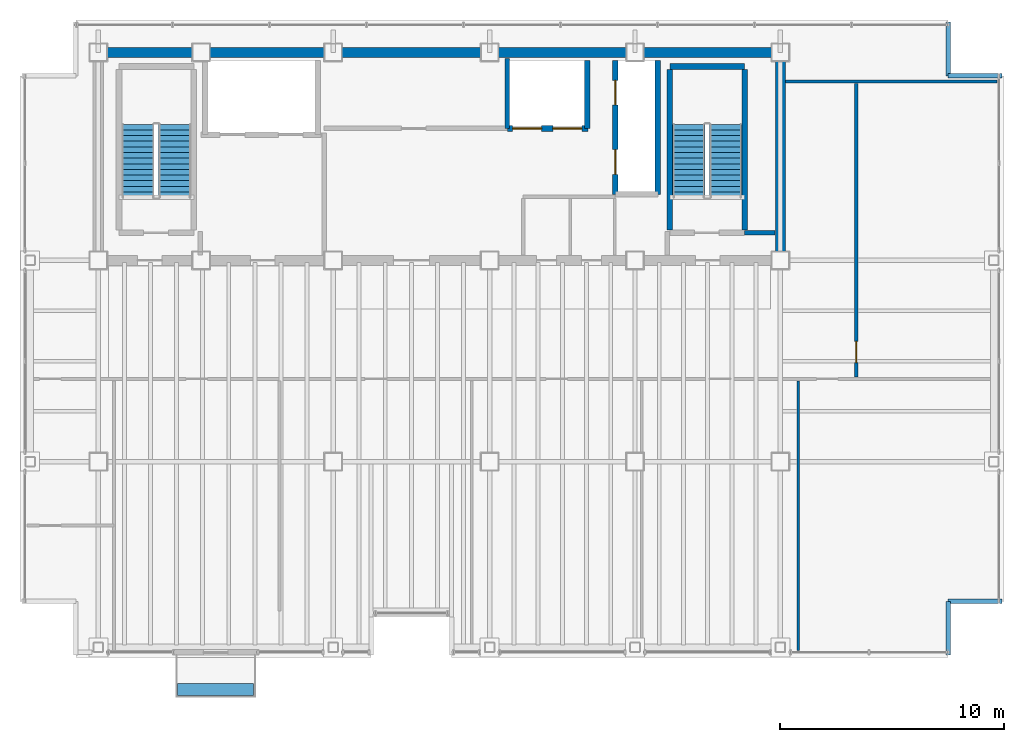
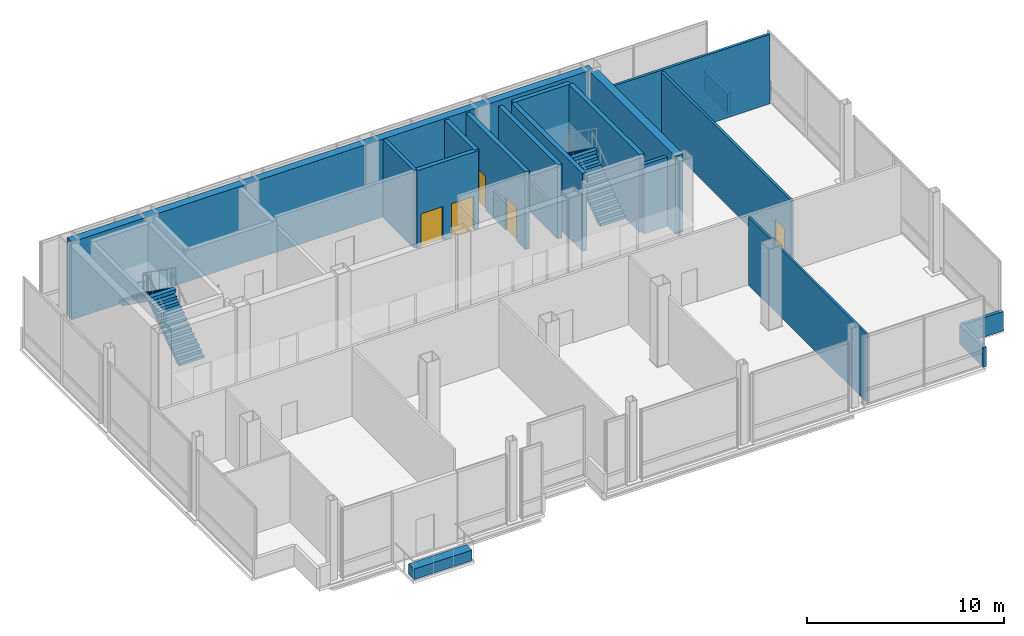
# One storey, part 14 of 15: 18 walls, 5 doors, 4 stair flights, 1 discrete accessory, 5 openings, 2 elements without a shape of their own.
"""IFC4 building model written with IfcOpenShell, lengths in metres."""

from ifc_helpers import new_model, si_unit, direction, frame, frame_2d, origin, origin_2d, place, context, subcontext, project, spatial, polyline, rectangle, outline, extrude, material, layer, layer_set, type_object, element, fill, aggregate, save


model = new_model("IFC4")

# Units and contexts
model_context = context("Model", 3, precision=1e-05, world=origin(), true_north=direction((0.0, 1.0)))
body_context = subcontext(model_context, "Body", "Model", "MODEL_VIEW")
ifc_project = project(units=[si_unit("LENGTHUNIT", "METRE"), si_unit("AREAUNIT", "SQUARE_METRE"), si_unit("VOLUMEUNIT", "CUBIC_METRE"), si_unit("PLANEANGLEUNIT", "RADIAN"), si_unit("MASSUNIT", "GRAM", prefix="KILO")], contexts=[model_context])

# Site, building, storey
site_placement = place(None, origin())
site = spatial("IfcSite", under=ifc_project, at=site_placement, CompositionType="ELEMENT")
building_placement = place(site_placement, origin())
building = spatial("IfcBuilding", under=site, at=building_placement, Name="Noeulbin Bourse Tower", CompositionType="ELEMENT")
storey_placement = place(building_placement, frame((0.0, 0.0, 206.10009765625)))
storey = spatial("IfcBuildingStorey", under=building, at=storey_placement, Name="L51", CompositionType="ELEMENT", Elevation=206.10009765625)

# Walls
ifc_material_1 = material(Name="Concrete C50/60", Category="concrete")
ifc_layer_1 = layer(ifc_material_1, 0.449951171875)
ifc_layer_set_1 = layer_set([ifc_layer_1], Name="Concrete C50/60")
wall_type_1 = type_object("IfcWallType", Name="WAL-CORE-450", PredefinedType="SHEAR", material=ifc_layer_set_1)
wall_1_placement = place(storey_placement, frame((13.5, 38.300048828125, 0.0), z_axis=(0.0, 0.0, 1.0), x_axis=(1.0, 0.0, 0.0)))
element("IfcWall", 1, at=wall_1_placement, inside=storey, type_object=wall_type_1, Name="Rear Core North Shear Wall L51", PredefinedType="SHEAR", context=body_context, shape_type="SweptSolid", body=[
    extrude(rectangle(XDim=30.5, YDim=0.449951171875, at=frame_2d((15.25, 0.0))), origin(), (0.0, 0.0, 1.0), 4.81982421875),
])
wall_2_placement = place(storey_placement, frame((44.0, 29.35009765625, 0.0), z_axis=(0.0, 0.0, 1.0), x_axis=(0.0, 1.0, 0.0)))
element("IfcWall", 2, at=wall_2_placement, inside=storey, type_object=wall_type_1, Name="Rear Core East Shear Wall L51", PredefinedType="SHEAR", context=body_context, shape_type="SweptSolid", body=[
    extrude(rectangle(XDim=8.599853515625, YDim=0.449951171875, at=frame_2d((4.2998046875, 0.0))), origin(), (0.0, 0.0, 1.0), 4.81982421875),
])
ifc_material_2 = material(Name="Concrete C40/50", Category="concrete")
ifc_layer_2 = layer(ifc_material_2, 0.199951171875)
ifc_layer_set_2 = layer_set([ifc_layer_2], Name="Concrete C40/50")
wall_type_2 = type_object("IfcWallType", Name="WAL-FIRE-200", PredefinedType="STANDARD", material=ifc_layer_set_2)
wall_3_placement = place(storey_placement, frame((42.39990234375, 30.239990234375, 0.0), z_axis=(0.0, 0.0, 1.0), x_axis=(1.0, 0.0, 0.0)))
element("IfcWall", 3, at=wall_3_placement, inside=storey, type_object=wall_type_2, Name="Interior Partition Wall L51-01", PredefinedType="STANDARD", context=body_context, shape_type="SweptSolid", body=[
    extrude(rectangle(XDim=1.364990234375, YDim=0.199951171875, at=frame_2d((0.6826171875, 0.0))), origin(), (0.0, 0.0, 1.0), 4.2998046875),
])
ifc_layer_3 = layer(ifc_material_2, 0.199951171875)
ifc_layer_set_3 = layer_set([ifc_layer_3], Name="Concrete C40/50")
wall_type_3 = type_object("IfcWallType", Name="WAL-PAR-200", PredefinedType="PARAPET", material=ifc_layer_set_3)
for number, where, z_axis, x_axis, name in (
    (4, (51.5, 11.35009765625, 0.0), (0.0, 0.0, 1.0), (0.0, 1.0, 0.0), "Corner Notch Parapet L51-SE1"),
    (5, (51.5, 13.75, 0.0), (0.0, 0.0, 1.0), (1.0, 0.0, 0.0), "Corner Notch Parapet L51-SE2"),
    (6, (51.5, 39.64990234375, 0.0), (0.0, 0.0, 1.0), (0.0, -1.0, 0.0), "Corner Notch Parapet L51-NE1"),
    (7, (51.5, 37.25, 0.0), (0.0, 0.0, 1.0), (1.0, 0.0, 0.0), "Corner Notch Parapet L51-NE2"),
):
    element("IfcWall", number, at=place(storey_placement, frame(where, z_axis=z_axis, x_axis=x_axis)), inside=storey, type_object=wall_type_3, Name=name, PredefinedType="PARAPET", context=body_context, shape_type="SweptSolid", body=[
        extrude(rectangle(XDim=2.39990234375, YDim=0.199951171875, at=frame_2d((1.199951171875, 0.0))), origin(), (0.0, 0.0, 1.0), 1.199951171875),
    ])
ifc_material_3 = material(Name="Steel Stud Gypsum Partition", Category="steel")
ifc_layer_4 = layer(ifc_material_3, 0.1201171875)
ifc_layer_set_4 = layer_set([ifc_layer_4], Name="Steel Stud Gypsum Partition")
wall_type_4 = type_object("IfcWallType", Name="WAL-PRT-120", PredefinedType="PARTITIONING", material=ifc_layer_set_4)
wall_4_placement = place(storey_placement, frame((44.800048828125, 11.56005859375, 0.0), z_axis=(0.0, 0.0, 1.0), x_axis=(0.0, 1.0, 0.0)))
element("IfcWall", 8, at=wall_4_placement, inside=storey, type_object=wall_type_4, Name="Interior Partition Wall L51-18", PredefinedType="PARTITIONING", context=body_context, shape_type="SweptSolid", body=[
    extrude(rectangle(XDim=12.054931640625, YDim=0.1201171875, at=frame_2d((6.02734375, 0.0))), origin(), (0.0, 0.0, 1.0), 4.199951171875),
])
ifc_material_4 = material(Name="Steel Stud Acoustic Gypsum Board", Category="steel")
ifc_layer_5 = layer(ifc_material_4, 0.14990234375)
ifc_layer_set_5 = layer_set([ifc_layer_5], Name="Steel Stud Acoustic Gypsum Board")
wall_type_5 = type_object("IfcWallType", Name="WAL-PRT-150", PredefinedType="PARTITIONING", material=ifc_layer_set_5)
wall_5_placement = place(storey_placement, frame((44.235107421875, 37.0, 0.0), z_axis=(0.0, 0.0, 1.0), x_axis=(1.0, 0.0, 0.0)))
element("IfcWall", 9, at=wall_5_placement, inside=storey, type_object=wall_type_5, Name="Interior Partition Wall L51-05", PredefinedType="PARTITIONING", context=body_context, shape_type="SweptSolid", body=[
    extrude(rectangle(XDim=9.454833984375, YDim=0.14990234375, at=frame_2d((4.7275390625, 0.0))), origin(), (0.0, 0.0, 1.0), 4.2998046875),
])

# Wall, opening, door
wall_6_placement = place(storey_placement, frame((47.39990234375, 23.784912109375, 0.0), z_axis=(0.0, 0.0, 1.0), x_axis=(0.0, 1.0, 0.0)))
wall_6 = element("IfcWall", 10, at=wall_6_placement, inside=storey, type_object=wall_type_5, Name="Interior Partition Wall L51-13", PredefinedType="PARTITIONING", context=body_context, shape_type="SweptSolid", body=[
    extrude(rectangle(XDim=13.130126953125, YDim=0.14990234375, at=frame_2d((6.56494140625, 0.0))), origin(), (0.0, 0.0, 1.0), 4.199951171875),
])
opening_1_placement = place(wall_6_placement, frame((0.639892578125, 0.0, 0.0)))
opening_1 = element("IfcOpeningElement", 11, at=opening_1_placement, cuts=wall_6, Name="Opening ID-09", PredefinedType="OPENING", context=body_context, shape_type="SweptSolid", body=[
    extrude(rectangle(XDim=0.949951171875, YDim=2.080078125, at=frame_2d((0.47509765625, 1.0400390625))), frame((0.0, 0.0849609375, 0.0), z_axis=(0.0, -1.0, 0.0), x_axis=(1.0, 0.0, 0.0)), (0.0, 0.0, 1.0), 0.169921875),
])
ifc_material_5 = material(Name="Acoustic Solid-Core Timber", Category="wood")
door_type_1 = type_object("IfcDoorType", Name="DR-SINGLE-950", OperationType="SINGLE_SWING_LEFT", PredefinedType="DOOR", material=ifc_material_5)
door_1_placement = place(opening_1_placement, origin())
door_1 = element("IfcDoor", 12, at=door_1_placement, inside=storey, type_object=door_type_1, Name="Interior Door L51-15", OperationType="SINGLE_SWING_RIGHT", OverallHeight=2.080078125, OverallWidth=0.949951171875, PredefinedType="DOOR", context=body_context, shape_type="SweptSolid", body=[
    extrude(rectangle(XDim=0.949951171875, YDim=2.080078125, at=frame_2d((0.47509765625, 1.0400390625))), frame((0.0, 0.02490234375, 0.0), z_axis=(0.0, -1.0, 0.0), x_axis=(1.0, 0.0, 0.0)), (0.0, 0.0, 1.0), 0.050048828125),
])
fill(opening_1, door_1)

# Walls
ifc_layer_6 = layer(ifc_material_2, 0.25)
ifc_layer_set_6 = layer_set([ifc_layer_6], Name="Concrete C40/50")
wall_type_6 = type_object("IfcWallType", Name="WAL-SHFT-250", PredefinedType="STANDARD", material=ifc_layer_set_6)
wall_7_placement = place(storey_placement, frame((39.06005859375, 37.6689453125, 0.0), z_axis=(0.0, 0.0, 1.0), x_axis=(1.0, 0.0, 0.0)))
element("IfcWall", 13, at=wall_7_placement, inside=storey, type_object=wall_type_6, Name="Stair ST-2 North Shaft Wall L51", PredefinedType="STANDARD", context=body_context, shape_type="SweptSolid", body=[
    extrude(rectangle(XDim=3.33984375, YDim=0.25, at=frame_2d((1.669921875, 0.0))), origin(), (0.0, 0.0, 1.0), 4.81982421875),
])
for number, where, z_axis, x_axis, name in (
    (14, (39.054931640625, 30.360107421875, 0.0), (0.0, 0.0, 1.0), (0.0, 1.0, 0.0), "Stair ST-2 West Shaft Wall L51"),
    (15, (42.405029296875, 30.360107421875, 0.0), (0.0, 0.0, 1.0), (0.0, 1.0, 0.0), "Stair ST-2 East Shaft Wall L51"),
):
    element("IfcWall", number, at=place(storey_placement, frame(where, z_axis=z_axis, x_axis=x_axis)), inside=storey, type_object=wall_type_6, Name=name, PredefinedType="STANDARD", context=body_context, shape_type="SweptSolid", body=[
        extrude(rectangle(XDim=7.183837890625, YDim=0.25, at=frame_2d((3.591796875, 0.0))), origin(), (0.0, 0.0, 1.0), 4.81982421875),
    ])

# Wall, openings, doors
wall_8_placement = place(storey_placement, frame((36.6201171875, 31.949951171875, 0.0), z_axis=(0.0, 0.0, 1.0), x_axis=(0.0, 1.0, 0.0)))
wall_8 = element("IfcWall", 16, at=wall_8_placement, inside=storey, type_object=wall_type_6, Name="Service Lift Shaft Wall L51", PredefinedType="STANDARD", context=body_context, shape_type="SweptSolid", body=[
    extrude(rectangle(XDim=6.0, YDim=0.25, at=frame_2d((3.0, 0.0))), origin(), (0.0, 0.0, 1.0), 4.81982421875),
])
opening_2_placement = place(wall_8_placement, frame((0.89990234375, 0.0, 0.0)))
opening_2 = element("IfcOpeningElement", 17, at=opening_2_placement, cuts=wall_8, Name="Opening LD-11", PredefinedType="OPENING", context=body_context, shape_type="SweptSolid", body=[
    extrude(rectangle(XDim=1.10009765625, YDim=2.080078125, at=frame_2d((0.550048828125, 1.0400390625))), frame((0.0, 0.135009765625, 0.0), z_axis=(0.0, -1.0, 0.0), x_axis=(1.0, 0.0, 0.0)), (0.0, 0.0, 1.0), 0.27001953125),
])
opening_3_placement = place(wall_8_placement, frame((4.0, 0.0, 0.0)))
opening_3 = element("IfcOpeningElement", 18, at=opening_3_placement, cuts=wall_8, Name="Opening LD-11", PredefinedType="OPENING", context=body_context, shape_type="SweptSolid", body=[
    extrude(rectangle(XDim=1.10009765625, YDim=2.080078125, at=frame_2d((0.550048828125, 1.0400390625))), frame((0.0, 0.135009765625, 0.0), z_axis=(0.0, -1.0, 0.0), x_axis=(1.0, 0.0, 0.0)), (0.0, 0.0, 1.0), 0.27001953125),
])
ifc_material_6 = material(Name="Brushed Stainless Steel 316", Category="steel")
door_type_2 = type_object("IfcDoorType", Name="DR-LIFT-1100", OperationType="SLIDING_TO_LEFT", PredefinedType="DOOR", material=ifc_material_6)
door_2_placement = place(opening_2_placement, origin())
door_2 = element("IfcDoor", 19, at=door_2_placement, inside=storey, type_object=door_type_2, Name="Lift Landing Door LD-EL-01-L51", OperationType="SLIDING_TO_LEFT", OverallHeight=2.080078125, OverallWidth=1.10009765625, PredefinedType="DOOR", context=body_context, shape_type="SweptSolid", body=[
    extrude(rectangle(XDim=1.10009765625, YDim=2.080078125, at=frame_2d((0.550048828125, 1.0400390625))), frame((0.0, 0.02490234375, 0.0), z_axis=(0.0, -1.0, 0.0), x_axis=(1.0, 0.0, 0.0)), (0.0, 0.0, 1.0), 0.050048828125),
])
fill(opening_2, door_2)
door_3_placement = place(opening_3_placement, origin())
door_3 = element("IfcDoor", 20, at=door_3_placement, inside=storey, type_object=door_type_2, Name="Lift Landing Door LD-SV-01-L51", OperationType="SLIDING_TO_LEFT", OverallHeight=2.080078125, OverallWidth=1.10009765625, PredefinedType="DOOR", context=body_context, shape_type="SweptSolid", body=[
    extrude(rectangle(XDim=1.10009765625, YDim=2.080078125, at=frame_2d((0.550048828125, 1.0400390625))), frame((0.0, 0.02490234375, 0.0), z_axis=(0.0, -1.0, 0.0), x_axis=(1.0, 0.0, 0.0)), (0.0, 0.0, 1.0), 0.050048828125),
])
fill(opening_3, door_3)

# Walls
wall_9_placement = place(storey_placement, frame((38.52001953125, 31.949951171875, 0.0), z_axis=(0.0, 0.0, 1.0), x_axis=(0.0, 1.0, 0.0)))
element("IfcWall", 21, at=wall_9_placement, inside=storey, type_object=wall_type_6, Name="Service Lift East Shaft Wall L51", PredefinedType="STANDARD", context=body_context, shape_type="SweptSolid", body=[
    extrude(rectangle(XDim=6.0, YDim=0.25, at=frame_2d((3.0, 0.0))), origin(), (0.0, 0.0, 1.0), 4.579833984375),
])
wall_10_placement = place(storey_placement, frame((35.360107421875, 34.89990234375, 0.0), z_axis=(0.0, 0.0, 1.0), x_axis=(0.0, 1.0, 0.0)))
element("IfcWall", 22, at=wall_10_placement, inside=storey, type_object=wall_type_6, Name="High-Rise Lift East Shaft Wall L51", PredefinedType="STANDARD", context=body_context, shape_type="SweptSolid", body=[
    extrude(rectangle(XDim=3.050048828125, YDim=0.25, at=frame_2d((1.52490234375, 0.0))), origin(), (0.0, 0.0, 1.0), 4.81982421875),
])

# Wall, openings, doors
wall_11_placement = place(storey_placement, frame((31.800048828125, 34.89990234375, 0.0), z_axis=(0.0, 0.0, 1.0), x_axis=(1.0, 0.0, 0.0)))
wall_11 = element("IfcWall", 23, at=wall_11_placement, inside=storey, type_object=wall_type_6, Name="High-Rise Lift Bank Front L51", PredefinedType="STANDARD", context=body_context, shape_type="SweptSolid", body=[
    extrude(rectangle(XDim=3.599853515625, YDim=0.25, at=frame_2d((1.7998046875, 0.0))), origin(), (0.0, 0.0, 1.0), 4.81982421875),
])
opening_4_placement = place(wall_11_placement, frame((0.22998046875, 0.0, 0.0)))
opening_4 = element("IfcOpeningElement", 24, at=opening_4_placement, cuts=wall_11, Name="Opening LD-13", PredefinedType="OPENING", context=body_context, shape_type="SweptSolid", body=[
    extrude(rectangle(XDim=1.300048828125, YDim=2.080078125, at=frame_2d((0.64990234375, 1.0400390625))), frame((0.0, 0.135009765625, 0.0), z_axis=(0.0, -1.0, 0.0), x_axis=(1.0, 0.0, 0.0)), (0.0, 0.0, 1.0), 0.27001953125),
])
opening_5_placement = place(wall_11_placement, frame((2.030029296875, 0.0, 0.0)))
opening_5 = element("IfcOpeningElement", 25, at=opening_5_placement, cuts=wall_11, Name="Opening LD-13", PredefinedType="OPENING", context=body_context, shape_type="SweptSolid", body=[
    extrude(rectangle(XDim=1.300048828125, YDim=2.080078125, at=frame_2d((0.64990234375, 1.0400390625))), frame((0.0, 0.135009765625, 0.0), z_axis=(0.0, -1.0, 0.0), x_axis=(1.0, 0.0, 0.0)), (0.0, 0.0, 1.0), 0.27001953125),
])
door_type_3 = type_object("IfcDoorType", Name="DR-LIFT-1300", OperationType="DOUBLE_DOOR_SLIDING", PredefinedType="DOOR", material=ifc_material_6)
door_4_placement = place(opening_4_placement, origin())
door_4 = element("IfcDoor", 26, at=door_4_placement, inside=storey, type_object=door_type_3, Name="Lift Landing Door LD-PL-H1-L51", OperationType="DOUBLE_DOOR_SLIDING", OverallHeight=2.080078125, OverallWidth=1.300048828125, PredefinedType="DOOR", context=body_context, shape_type="SweptSolid", body=[
    extrude(rectangle(XDim=1.300048828125, YDim=2.080078125, at=frame_2d((0.64990234375, 1.0400390625))), frame((0.0, 0.02490234375, 0.0), z_axis=(0.0, -1.0, 0.0), x_axis=(1.0, 0.0, 0.0)), (0.0, 0.0, 1.0), 0.050048828125),
])
fill(opening_4, door_4)
door_5_placement = place(opening_5_placement, origin())
door_5 = element("IfcDoor", 27, at=door_5_placement, inside=storey, type_object=door_type_3, Name="Lift Landing Door LD-PL-H2-L51", OperationType="DOUBLE_DOOR_SLIDING", OverallHeight=2.080078125, OverallWidth=1.300048828125, PredefinedType="DOOR", context=body_context, shape_type="SweptSolid", body=[
    extrude(rectangle(XDim=1.300048828125, YDim=2.080078125, at=frame_2d((0.64990234375, 1.0400390625))), frame((0.0, 0.02490234375, 0.0), z_axis=(0.0, -1.0, 0.0), x_axis=(1.0, 0.0, 0.0)), (0.0, 0.0, 1.0), 0.050048828125),
])
fill(opening_5, door_5)

# Wall
wall_12_placement = place(storey_placement, frame((31.780029296875, 34.89990234375, 0.0), z_axis=(0.0, 0.0, 1.0), x_axis=(0.0, 1.0, 0.0)))
element("IfcWall", 28, at=wall_12_placement, inside=storey, type_object=wall_type_6, Name="Hoistway Side Shaft Wall L51-PLHW", PredefinedType="STANDARD", context=body_context, shape_type="SweptSolid", body=[
    extrude(rectangle(XDim=3.1201171875, YDim=0.199951171875, at=frame_2d((1.56005859375, 0.0))), origin(), (0.0, 0.0, 1.0), 4.81982421875),
])

# Stair, stair flights
stair_type = type_object("IfcStairType", Name="STR-CORE-1560", PredefinedType="HALF_TURN_STAIR", material=ifc_material_2)
stair_1_placement = place(storey_placement, origin())
stair_1 = element("IfcStair", 29, at=stair_1_placement, inside=storey, type_object=stair_type, Name="L51 ST-1", PredefinedType="HALF_TURN_STAIR")
stair_flight_type = type_object("IfcStairFlightType", Name="SFL-CORE-1560", PredefinedType="STRAIGHT", material=ifc_material_2)
stair_flight_1_placement = place(storey_placement, frame((16.925048828125, 31.81005859375, 0.0), z_axis=(0.0, 0.0, 1.0), x_axis=(0.0, 1.0, 0.0)))
stair_flight_1 = element("IfcStairFlight", 30, at=stair_flight_1_placement, type_object=stair_flight_type, Name="ST-1 flight 1", NumberOfRisers=14, NumberOfTreads=13, PredefinedType="STRAIGHT", RiserHeight=0.178571429, TreadLength=0.252, context=body_context, shape_type="SweptSolid", body=[
    extrude(outline(polyline([(0.0, 0.0), (0.0, 0.178466796875), (0.251953125, 0.178466796875), (0.251953125, 0.357177734375), (0.50390625, 0.357177734375), (0.50390625, 0.53564453125), (0.756103515625, 0.53564453125), (0.756103515625, 0.71435546875), (1.008056640625, 0.71435546875), (1.008056640625, 0.892822265625), (1.260009765625, 0.892822265625), (1.260009765625, 1.071533203125), (1.511962890625, 1.071533203125), (1.511962890625, 1.25), (1.763916015625, 1.25), (1.763916015625, 1.428466796875), (2.01611328125, 1.428466796875), (2.01611328125, 1.607177734375), (2.26806640625, 1.607177734375), (2.26806640625, 1.78564453125), (2.52001953125, 1.78564453125), (2.52001953125, 1.96435546875), (2.77197265625, 1.96435546875), (2.77197265625, 2.142822265625), (3.02392578125, 2.142822265625), (3.02392578125, 2.321533203125), (3.27587890625, 2.321533203125), (3.27587890625, 2.5), (3.27587890625, 2.100830078125), (0.311279296875, 0.0), (0.0, 0.0)])), frame((0.0, 0.72509765625, 0.0), z_axis=(0.0, -1.0, 0.0), x_axis=(1.0, 0.0, 0.0)), (0.0, 0.0, 1.0), 1.449951171875),
])
stair_flight_2_placement = place(storey_placement, frame((15.27490234375, 35.0859375, 2.5), z_axis=(0.0, 0.0, 1.0), x_axis=(0.0, -1.0, 0.0)))
stair_flight_2 = element("IfcStairFlight", 31, at=stair_flight_2_placement, type_object=stair_flight_type, Name="ST-1 flight 2", NumberOfRisers=14, NumberOfTreads=13, PredefinedType="STRAIGHT", RiserHeight=0.178571429, TreadLength=0.252, context=body_context, shape_type="SweptSolid", body=[
    extrude(outline(polyline([(0.0, 0.0), (0.0, 0.178466796875), (0.251953125, 0.178466796875), (0.251953125, 0.357177734375), (0.50390625, 0.357177734375), (0.50390625, 0.53564453125), (0.756103515625, 0.53564453125), (0.756103515625, 0.71435546875), (1.008056640625, 0.71435546875), (1.008056640625, 0.892822265625), (1.260009765625, 0.892822265625), (1.260009765625, 1.071533203125), (1.511962890625, 1.071533203125), (1.511962890625, 1.25), (1.763916015625, 1.25), (1.763916015625, 1.428466796875), (2.01611328125, 1.428466796875), (2.01611328125, 1.607177734375), (2.26806640625, 1.607177734375), (2.26806640625, 1.78564453125), (2.52001953125, 1.78564453125), (2.52001953125, 1.96435546875), (2.77197265625, 1.96435546875), (2.77197265625, 2.142822265625), (3.02392578125, 2.142822265625), (3.02392578125, 2.321533203125), (3.27587890625, 2.321533203125), (3.27587890625, 2.5), (3.27587890625, 2.100830078125), (0.311279296875, 0.0), (0.0, 0.0)])), frame((0.0, 0.72509765625, 0.0), z_axis=(0.0, -1.0, 0.0), x_axis=(1.0, 0.0, 0.0)), (0.0, 0.0, 1.0), 1.449951171875),
])
aggregate(stair_1, [stair_flight_1, stair_flight_2])

stair_2_placement = place(storey_placement, origin())
stair_2 = element("IfcStair", 32, at=stair_2_placement, inside=storey, type_object=stair_type, Name="L51 ST-2", PredefinedType="HALF_TURN_STAIR")
stair_flight_3_placement = place(storey_placement, frame((41.554931640625, 31.81005859375, 0.0), z_axis=(0.0, 0.0, 1.0), x_axis=(0.0, 1.0, 0.0)))
stair_flight_3 = element("IfcStairFlight", 33, at=stair_flight_3_placement, type_object=stair_flight_type, Name="ST-2 flight 1", NumberOfRisers=14, NumberOfTreads=13, PredefinedType="STRAIGHT", RiserHeight=0.178571429, TreadLength=0.252, context=body_context, shape_type="SweptSolid", body=[
    extrude(outline(polyline([(0.0, 0.0), (0.0, 0.178466796875), (0.251953125, 0.178466796875), (0.251953125, 0.357177734375), (0.50390625, 0.357177734375), (0.50390625, 0.53564453125), (0.756103515625, 0.53564453125), (0.756103515625, 0.71435546875), (1.008056640625, 0.71435546875), (1.008056640625, 0.892822265625), (1.260009765625, 0.892822265625), (1.260009765625, 1.071533203125), (1.511962890625, 1.071533203125), (1.511962890625, 1.25), (1.763916015625, 1.25), (1.763916015625, 1.428466796875), (2.01611328125, 1.428466796875), (2.01611328125, 1.607177734375), (2.26806640625, 1.607177734375), (2.26806640625, 1.78564453125), (2.52001953125, 1.78564453125), (2.52001953125, 1.96435546875), (2.77197265625, 1.96435546875), (2.77197265625, 2.142822265625), (3.02392578125, 2.142822265625), (3.02392578125, 2.321533203125), (3.27587890625, 2.321533203125), (3.27587890625, 2.5), (3.27587890625, 2.100830078125), (0.311279296875, 0.0), (0.0, 0.0)])), frame((0.0, 0.72509765625, 0.0), z_axis=(0.0, -1.0, 0.0), x_axis=(1.0, 0.0, 0.0)), (0.0, 0.0, 1.0), 1.449951171875),
])
stair_flight_4_placement = place(storey_placement, frame((39.905029296875, 35.0859375, 2.5), z_axis=(0.0, 0.0, 1.0), x_axis=(0.0, -1.0, 0.0)))
stair_flight_4 = element("IfcStairFlight", 34, at=stair_flight_4_placement, type_object=stair_flight_type, Name="ST-2 flight 2", NumberOfRisers=14, NumberOfTreads=13, PredefinedType="STRAIGHT", RiserHeight=0.178571429, TreadLength=0.252, context=body_context, shape_type="SweptSolid", body=[
    extrude(outline(polyline([(0.0, 0.0), (0.0, 0.178466796875), (0.251953125, 0.178466796875), (0.251953125, 0.357177734375), (0.50390625, 0.357177734375), (0.50390625, 0.53564453125), (0.756103515625, 0.53564453125), (0.756103515625, 0.71435546875), (1.008056640625, 0.71435546875), (1.008056640625, 0.892822265625), (1.260009765625, 0.892822265625), (1.260009765625, 1.071533203125), (1.511962890625, 1.071533203125), (1.511962890625, 1.25), (1.763916015625, 1.25), (1.763916015625, 1.428466796875), (2.01611328125, 1.428466796875), (2.01611328125, 1.607177734375), (2.26806640625, 1.607177734375), (2.26806640625, 1.78564453125), (2.52001953125, 1.78564453125), (2.52001953125, 1.96435546875), (2.77197265625, 1.96435546875), (2.77197265625, 2.142822265625), (3.02392578125, 2.142822265625), (3.02392578125, 2.321533203125), (3.27587890625, 2.321533203125), (3.27587890625, 2.5), (3.27587890625, 2.100830078125), (0.311279296875, 0.0), (0.0, 0.0)])), frame((0.0, 0.72509765625, 0.0), z_axis=(0.0, -1.0, 0.0), x_axis=(1.0, 0.0, 0.0)), (0.0, 0.0, 1.0), 1.449951171875),
])
aggregate(stair_2, [stair_flight_3, stair_flight_4])

# Discrete accessory
ifc_material_7 = material(Name="Architectural GFRC Concrete C40/50", Category="concrete")
ifc_layer_7 = layer(ifc_material_7, 0.64990234375)
ifc_layer_set_7 = layer_set([ifc_layer_7], Name="Architectural GFRC Concrete C40/50")
discrete_accessory_type = type_object("IfcDiscreteAccessoryType", Name="PLANTER-BOX-3600", PredefinedType="USERDEFINED", material=ifc_layer_set_7)
discrete_accessory_placement = place(storey_placement, frame((18.75, 9.81005859375, 0.0), z_axis=(0.0, 0.0, 1.0), x_axis=(1.0, 0.0, 0.0)))
element("IfcDiscreteAccessory", 35, at=discrete_accessory_placement, inside=storey, type_object=discrete_accessory_type, Name="Integrated Balcony Tree Planter Box L51", ObjectType="PLANTER", PredefinedType="USERDEFINED", context=body_context, shape_type="SweptSolid", body=[
    extrude(rectangle(XDim=3.39990234375, YDim=0.550048828125, at=origin_2d()), origin(), (0.0, 0.0, 1.0), 0.64990234375),
])

save(model, "model.ifc")
